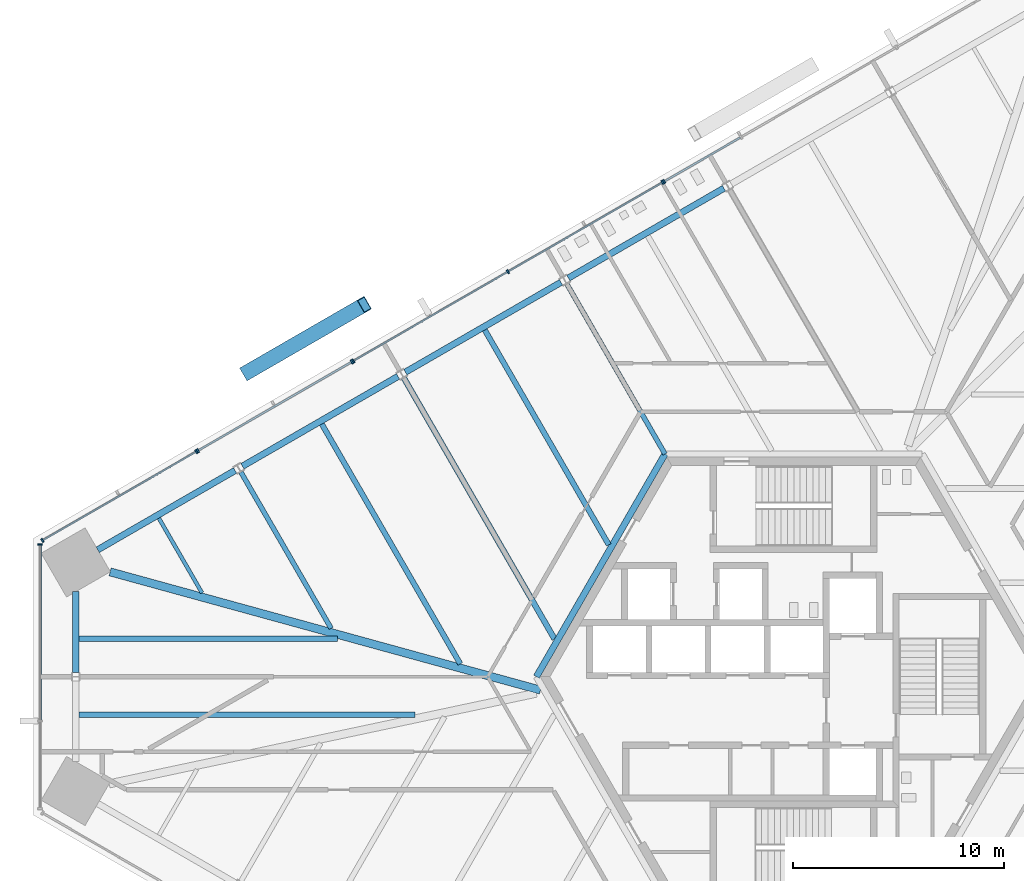
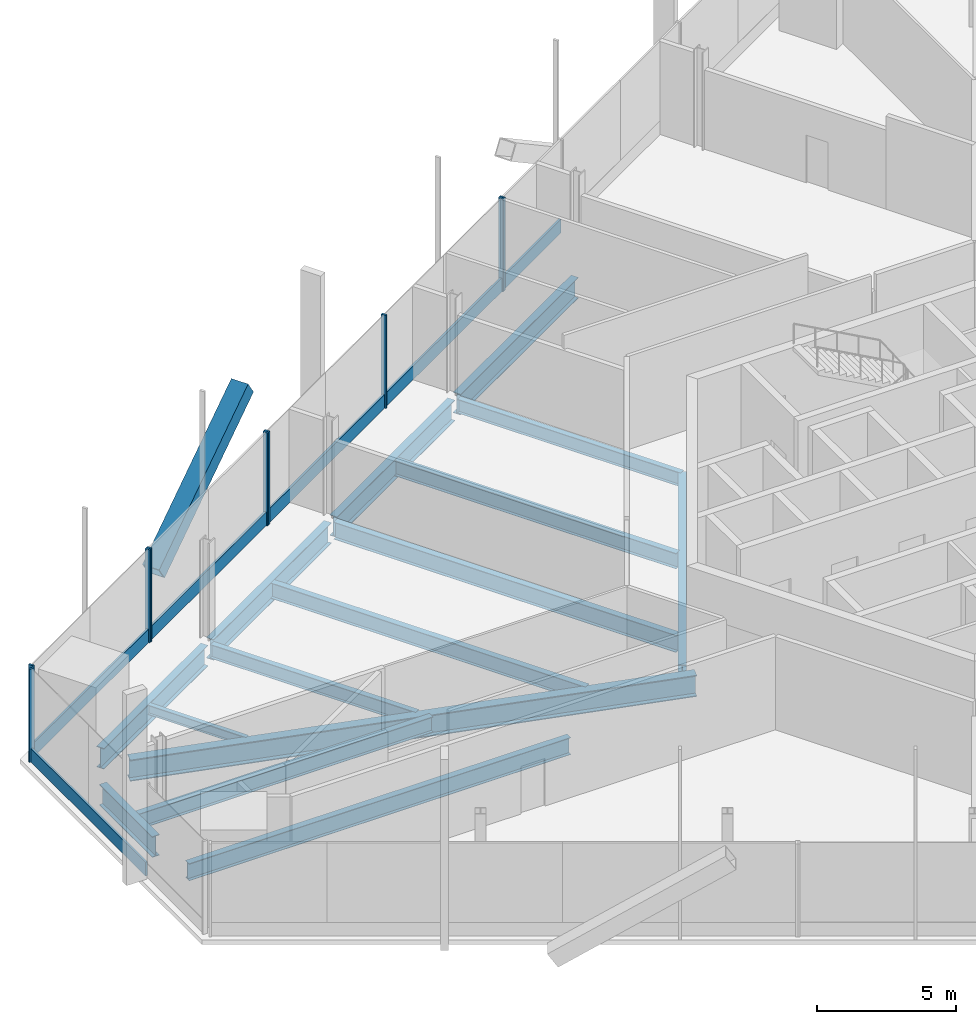
# One storey, part 6 of 19: 16 members, 15 beams, 5 elements without a shape of their own.
"""IFC4 building model written with IfcOpenShell, lengths in metres."""

from ifc_helpers import new_model, si_unit, direction, frame, origin, origin_2d, place, context, subcontext, project, spatial, rectangle, hollow_rectangle, i_section, extrude, source, transform, mapped, material, material_profile, profile_set, type_object, element, aggregate, save


model = new_model("IFC4")

# Units and contexts
model_context = context("Model", 3, precision=1e-05, world=origin(), true_north=direction((0.0, 1.0)))
body_context = subcontext(model_context, "Body", "Model", "MODEL_VIEW")
ifc_project = project(units=[si_unit("LENGTHUNIT", "METRE"), si_unit("AREAUNIT", "SQUARE_METRE"), si_unit("VOLUMEUNIT", "CUBIC_METRE"), si_unit("PLANEANGLEUNIT", "RADIAN"), si_unit("MASSUNIT", "GRAM", prefix="KILO")], contexts=[model_context])

# Site, building, storey
site_placement = place(None, origin())
site = spatial("IfcSite", under=ifc_project, at=site_placement, CompositionType="ELEMENT")
building_placement = place(site_placement, origin())
building = spatial("IfcBuilding", under=site, at=building_placement, Name="Triune Harvest Tower", CompositionType="ELEMENT")
storey_placement = place(building_placement, frame((0.0, 0.0, 24.60009765625)))
storey = spatial("IfcBuildingStorey", under=building, at=storey_placement, Name="L05", CompositionType="ELEMENT", Elevation=24.60009765625)

# Beams
ifc_material_1 = material(Name="Steel ASTM A992 Gr 50", Category="steel")
ifc_material_profile_1 = material_profile(ifc_material_1, i_section(OverallWidth=0.3046875, OverallDepth=0.914306640625, WebThickness=0.0166015625, FlangeThickness=0.02587890625, at=origin_2d()), Name="W36x160")
ifc_profile_set_1 = profile_set([ifc_material_profile_1], Name="Steel ASTM A992 Gr 50")
beam_type_1 = type_object("IfcBeamType", Name="CG-1 Core ring girder W36x160", PredefinedType="BEAM", material=ifc_profile_set_1)
shared_shape_1 = source(origin(), body_context, "Body", "SweptSolid", [
    extrude(i_section(OverallWidth=0.3046875, OverallDepth=0.914306640625, WebThickness=0.0166015625, FlangeThickness=0.02587890625, at=origin_2d()), origin(), (0.0, 0.0, 1.0), 12.176025390625),
])
beam_1_placement = place(storey_placement, frame((-6.087890625, 10.544677734375, -0.6572265625), z_axis=(-0.5000099932, -0.866019634131, 0.0), x_axis=(0.866019634131, -0.5000099932, 0.0)))
element("IfcBeam", 1, at=beam_1_placement, inside=storey, type_object=beam_type_1, Name="beam/L05/CG3", PredefinedType="BEAM", context=body_context, shape_type="MappedRepresentation", body=[
    mapped(shared_shape_1, transform((0.0, 0.0, 0.0), scale=1.0)),
])
ifc_material_2 = material(Name="Steel ASTM A992 Gr 50", Category="steel")
ifc_material_profile_2 = material_profile(ifc_material_2, i_section(OverallWidth=0.383544921875, OverallDepth=0.9423828125, WebThickness=0.022216796875, FlangeThickness=0.039794921875, at=origin_2d()), Name="W36x232")
ifc_profile_set_2 = profile_set([ifc_material_profile_2], Name="Steel ASTM A992 Gr 50")
beam_type_2 = type_object("IfcBeamType", Name="HG-1 Hip girder W36x232", PredefinedType="BEAM", material=ifc_profile_set_2)
shared_shape_2 = source(origin(), body_context, "Body", "SweptSolid", [
    extrude(i_section(OverallWidth=0.383544921875, OverallDepth=0.9423828125, WebThickness=0.022216796875, FlangeThickness=0.039794921875, at=origin_2d()), origin(), (0.0, 0.0, 1.0), 21.13232421875),
])
beam_2_placement = place(storey_placement, frame((-32.3623046875, 4.963134765625, -0.67138671875), z_axis=(0.964269976316, -0.264921521918, 0.0), x_axis=(0.264921521918, 0.964269976316, 0.0)))
element("IfcBeam", 2, at=beam_2_placement, inside=storey, type_object=beam_type_2, Name="beam/L05/HG4", PredefinedType="BEAM", context=body_context, shape_type="MappedRepresentation", body=[
    mapped(shared_shape_2, transform((0.0, 0.0, 0.0), scale=1.0)),
])
ifc_material_3 = material(Name="Steel ASTM A992 Gr 50", Category="steel")
ifc_material_profile_3 = material_profile(ifc_material_3, i_section(OverallWidth=0.2666015625, OverallDepth=0.7568359375, WebThickness=0.013916015625, FlangeThickness=0.019287109375, at=origin_2d()), Name="W30x108")
ifc_profile_set_3 = profile_set([ifc_material_profile_3], Name="Steel ASTM A992 Gr 50")
beam_type_3 = type_object("IfcBeamType", Name="JT-5 Floor joist W30x108", PredefinedType="JOIST", material=ifc_profile_set_3)
shared_shape_3 = source(origin(), body_context, "Body", "SweptSolid", [
    extrude(i_section(OverallWidth=0.2666015625, OverallDepth=0.7568359375, WebThickness=0.013916015625, FlangeThickness=0.019287109375, at=origin_2d()), origin(), (0.0, 0.0, 1.0), 14.2685546875),
])
beam_3_placement = place(storey_placement, frame((-18.454345703125, 14.14404296875, -0.57861328125), z_axis=(0.499987083308, -0.866032861112, 0.0), x_axis=(0.866032861112, 0.499987083308, 0.0)))
element("IfcBeam", 3, at=beam_3_placement, inside=storey, type_object=beam_type_3, Name="beam/L05/JT21", PredefinedType="JOIST", context=body_context, shape_type="MappedRepresentation", body=[
    mapped(shared_shape_3, transform((0.0, 0.0, 0.0), scale=1.0)),
])
ifc_material_4 = material(Name="Steel ASTM A992 Gr 50", Category="steel")
ifc_material_profile_4 = material_profile(ifc_material_4, i_section(OverallWidth=0.22900390625, OverallDepth=0.612060546875, WebThickness=0.011962890625, FlangeThickness=0.01953125, at=origin_2d()), Name="W24x84")
ifc_profile_set_4 = profile_set([ifc_material_profile_4], Name="Steel ASTM A992 Gr 50")
beam_type_4 = type_object("IfcBeamType", Name="JT-3 Floor joist W24x84", PredefinedType="JOIST", material=ifc_profile_set_4)
shared_shape_4 = source(origin(), body_context, "Body", "SweptSolid", [
    extrude(i_section(OverallWidth=0.22900390625, OverallDepth=0.612060546875, WebThickness=0.011962890625, FlangeThickness=0.01953125, at=origin_2d()), origin(), (0.0, 0.0, 1.0), 8.54736328125),
])
beam_4_placement = place(storey_placement, frame((-26.170654296875, 9.68896484375, -0.506103515625), z_axis=(0.500006795031, -0.866021480636, 0.0), x_axis=(0.866021480636, 0.500006795031, 0.0)))
element("IfcBeam", 4, at=beam_4_placement, inside=storey, type_object=beam_type_4, Name="beam/L05/JT23", PredefinedType="JOIST", context=body_context, shape_type="MappedRepresentation", body=[
    mapped(shared_shape_4, transform((0.0, 0.0, 0.0), scale=1.0)),
])
shared_shape_5 = source(origin(), body_context, "Body", "SweptSolid", [
    extrude(i_section(OverallWidth=0.22900390625, OverallDepth=0.612060546875, WebThickness=0.011962890625, FlangeThickness=0.01953125, at=origin_2d()), origin(), (0.0, 0.0, 1.0), 9.300537109375),
])
beam_5_placement = place(storey_placement, frame((-10.738037109375, 18.59912109375, -0.506103515625), z_axis=(0.49999285859, -0.86602952684, 0.0), x_axis=(0.86602952684, 0.49999285859, 0.0)))
element("IfcBeam", 5, at=beam_5_placement, inside=storey, type_object=beam_type_4, Name="beam/L05/JT19", PredefinedType="JOIST", context=body_context, shape_type="MappedRepresentation", body=[
    mapped(shared_shape_5, transform((0.0, 0.0, 0.0), scale=1.0)),
])
ifc_material_5 = material(Name="Steel ASTM A992 Gr 50", Category="steel")
ifc_material_profile_5 = material_profile(ifc_material_5, i_section(OverallWidth=0.3046875, OverallDepth=0.914306640625, WebThickness=0.0166015625, FlangeThickness=0.02587890625, at=origin_2d()), Name="W36x160")
ifc_profile_set_5 = profile_set([ifc_material_profile_5], Name="Steel ASTM A992 Gr 50")
beam_type_5 = type_object("IfcBeamType", Name="SB-1 Spandrel beam W36x160", PredefinedType="SPANDREL", material=ifc_profile_set_5)
shared_shape_6 = source(origin(), body_context, "Body", "SweptSolid", [
    extrude(i_section(OverallWidth=0.3046875, OverallDepth=0.914306640625, WebThickness=0.0166015625, FlangeThickness=0.02587890625, at=origin_2d()), origin(), (0.0, 0.0, 1.0), 7.508056640625),
])
beam_6_placement = place(storey_placement, frame((-26.447265625, 9.763916015625, -0.6572265625), z_axis=(-0.866033425553, -0.499986105632, 0.0), x_axis=(0.499986105632, -0.866033425553, 0.0)))
element("IfcBeam", 6, at=beam_6_placement, inside=storey, type_object=beam_type_5, Name="beam/L05/SB14", PredefinedType="SPANDREL", context=body_context, shape_type="MappedRepresentation", body=[
    mapped(shared_shape_6, transform((0.0, 0.0, 0.0), scale=1.0)),
])
shared_shape_7 = source(origin(), body_context, "Body", "SweptSolid", [
    extrude(i_section(OverallWidth=0.3046875, OverallDepth=0.914306640625, WebThickness=0.0166015625, FlangeThickness=0.02587890625, at=origin_2d()), origin(), (0.0, 0.0, 1.0), 8.506103515625),
])
for number, where, z_axis, x_axis, name in (
    (7, (-3.29833984375, 23.12890625, -0.6572265625), (-0.866030246746, -0.49999161165, 0.0), (0.49999161165, -0.866030246746, 0.0), "beam/L05/SB11"),
    (8, (-11.0146484375, 18.674072265625, -0.6572265625), (-0.866017818397, -0.500013138047, 0.0), (0.500013138047, -0.866017818397, 0.0), "beam/L05/SB12"),
    (9, (-18.73095703125, 14.218994140625, -0.6572265625), (-0.866030246746, -0.49999161165, 0.0), (0.49999161165, -0.866030246746, 0.0), "beam/L05/SB13"),
):
    element("IfcBeam", number, at=place(storey_placement, frame(where, z_axis=z_axis, x_axis=x_axis)), inside=storey, type_object=beam_type_5, Name=name, PredefinedType="SPANDREL", context=body_context, shape_type="MappedRepresentation", body=[
        mapped(shared_shape_7, transform((0.0, 0.0, 0.0), scale=1.0)),
    ])
shared_shape_8 = source(origin(), body_context, "Body", "SweptSolid", [
    extrude(i_section(OverallWidth=0.3046875, OverallDepth=0.914306640625, WebThickness=0.0166015625, FlangeThickness=0.02587890625, at=origin_2d()), origin(), (0.0, 0.0, 1.0), 3.822509765625),
])
beam_7_placement = place(storey_placement, frame((-33.988525390625, 4.0244140625, -0.6572265625), z_axis=(0.0, -1.0, 0.0), x_axis=(1.0, 0.0, 0.0)))
element("IfcBeam", 10, at=beam_7_placement, inside=storey, type_object=beam_type_5, Name="beam/L05/SB15", PredefinedType="SPANDREL", context=body_context, shape_type="MappedRepresentation", body=[
    mapped(shared_shape_8, transform((0.0, 0.0, 0.0), scale=1.0)),
])
ifc_material_6 = material(Name="Steel ASTM A992 Gr 50", Category="steel")
ifc_material_profile_6 = material_profile(ifc_material_6, i_section(OverallWidth=0.180908203125, OverallDepth=0.41650390625, WebThickness=0.010986328125, FlangeThickness=0.01806640625, at=origin_2d()), Name="W16x57")
ifc_profile_set_6 = profile_set([ifc_material_profile_6], Name="Steel ASTM A992 Gr 50")
beam_type_6 = type_object("IfcBeamType", Name="JT-1 Floor joist W16x57", PredefinedType="JOIST", material=ifc_profile_set_6)
shared_shape_9 = source(origin(), body_context, "Body", "SweptSolid", [
    extrude(i_section(OverallWidth=0.180908203125, OverallDepth=0.41650390625, WebThickness=0.010986328125, FlangeThickness=0.01806640625, at=origin_2d()), origin(), (0.0, 0.0, 1.0), 4.08642578125),
])
beam_8_placement = place(storey_placement, frame((-30.05419921875, 7.505615234375, -0.408447265625), z_axis=(0.49998792433, -0.866032375563, 0.0), x_axis=(0.866032375563, 0.49998792433, 0.0)))
element("IfcBeam", 11, at=beam_8_placement, inside=storey, type_object=beam_type_6, Name="beam/L05/JT24", PredefinedType="JOIST", context=body_context, shape_type="MappedRepresentation", body=[
    mapped(shared_shape_9, transform((0.0, 0.0, 0.0), scale=1.0)),
])
ifc_material_7 = material(Name="Steel ASTM A992 Gr 50", Category="steel")
ifc_material_profile_7 = material_profile(ifc_material_7, i_section(OverallWidth=0.253662109375, OverallDepth=0.683349609375, WebThickness=0.012451171875, FlangeThickness=0.01904296875, at=origin_2d()), Name="W27x94")
ifc_profile_set_7 = profile_set([ifc_material_profile_7], Name="Steel ASTM A992 Gr 50")
beam_type_7 = type_object("IfcBeamType", Name="JT-4 Floor joist W27x94", PredefinedType="JOIST", material=ifc_profile_set_7)
shared_shape_10 = source(origin(), body_context, "Body", "SweptSolid", [
    extrude(i_section(OverallWidth=0.253662109375, OverallDepth=0.683349609375, WebThickness=0.012451171875, FlangeThickness=0.01904296875, at=origin_2d()), origin(), (0.0, 0.0, 1.0), 12.2509765625),
])
beam_9_placement = place(storey_placement, frame((-33.836181640625, 1.80322265625, -0.541748046875), z_axis=(1.0, 0.0, 0.0), x_axis=(0.0, 1.0, 0.0)))
element("IfcBeam", 12, at=beam_9_placement, inside=storey, type_object=beam_type_7, Name="beam/L05/JT25", PredefinedType="JOIST", context=body_context, shape_type="MappedRepresentation", body=[
    mapped(shared_shape_10, transform((0.0, 0.0, 0.0), scale=1.0)),
])
shared_shape_11 = source(origin(), body_context, "Body", "SweptSolid", [
    extrude(i_section(OverallWidth=0.2666015625, OverallDepth=0.7568359375, WebThickness=0.013916015625, FlangeThickness=0.019287109375, at=origin_2d()), origin(), (0.0, 0.0, 1.0), 15.90771484375),
])
beam_10_placement = place(storey_placement, frame((-33.836181640625, -1.80322265625, -0.57861328125), z_axis=(1.0, 0.0, 0.0), x_axis=(0.0, 1.0, 0.0)))
element("IfcBeam", 13, at=beam_10_placement, inside=storey, type_object=beam_type_3, Name="beam/L05/JT26", PredefinedType="JOIST", context=body_context, shape_type="MappedRepresentation", body=[
    mapped(shared_shape_11, transform((0.0, 0.0, 0.0), scale=1.0)),
])
shared_shape_12 = source(origin(), body_context, "Body", "SweptSolid", [
    extrude(i_section(OverallWidth=0.253662109375, OverallDepth=0.683349609375, WebThickness=0.012451171875, FlangeThickness=0.01904296875, at=origin_2d()), origin(), (0.0, 0.0, 1.0), 11.7470703125),
])
beam_11_placement = place(storey_placement, frame((-14.62158203125, 16.41552734375, -0.541748046875), z_axis=(0.49999710518, -0.866027075103, 0.0), x_axis=(0.866027075103, 0.49999710518, 0.0)))
element("IfcBeam", 14, at=beam_11_placement, inside=storey, type_object=beam_type_7, Name="beam/L05/JT20", PredefinedType="JOIST", context=body_context, shape_type="MappedRepresentation", body=[
    mapped(shared_shape_12, transform((0.0, 0.0, 0.0), scale=1.0)),
])
shared_shape_13 = source(origin(), body_context, "Body", "SweptSolid", [
    extrude(i_section(OverallWidth=0.253662109375, OverallDepth=0.683349609375, WebThickness=0.012451171875, FlangeThickness=0.01904296875, at=origin_2d()), origin(), (0.0, 0.0, 1.0), 13.10986328125),
])
beam_12_placement = place(storey_placement, frame((-22.337890625, 11.96044921875, -0.541748046875), z_axis=(0.499998646344, -0.866026185317, 0.0), x_axis=(0.866026185317, 0.499998646344, 0.0)))
element("IfcBeam", 15, at=beam_12_placement, inside=storey, type_object=beam_type_7, Name="beam/L05/JT22", PredefinedType="JOIST", context=body_context, shape_type="MappedRepresentation", body=[
    mapped(shared_shape_13, transform((0.0, 0.0, 0.0), scale=1.0)),
])

# Member
ifc_material_8 = material(Name="Steel ASTM A572 Gr 50", Category="steel")
ifc_material_profile_8 = material_profile(ifc_material_8, hollow_rectangle(XDim=0.699951171875, YDim=0.699951171875, WallThickness=0.0400390625, at=origin_2d()), Name="Box 700x700x40")
ifc_profile_set_8 = profile_set([ifc_material_profile_8], Name="Steel ASTM A572 Gr 50")
member_type_1 = type_object("IfcMemberType", Name="BR-1 Brace Box 700x700x40", PredefinedType="BRACE", material=ifc_profile_set_8)
shared_shape_14 = source(origin(), body_context, "Body", "SweptSolid", [
    extrude(hollow_rectangle(XDim=0.699951171875, YDim=0.699951171875, WallThickness=0.0400390625, at=origin_2d()), origin(), (0.0, 0.0, 1.0), 7.728515625),
])
member_1_placement = place(storey_placement, frame((-25.8876953125, 14.40771484375, 0.0), z_axis=(0.719607219692, 0.415495775268, 0.556353044479), x_axis=(-0.500027396176, 0.866009586017, 0.0)))
element("IfcMember", 16, at=member_1_placement, inside=storey, type_object=member_type_1, Name="brace/B1-F3/d2/3", PredefinedType="BRACE", context=body_context, shape_type="MappedRepresentation", body=[
    mapped(shared_shape_14, transform((0.0, 0.0, 0.0), scale=1.0)),
])

# Curtain wall, member
ifc_material_9 = material(Name="Aluminium bronze anodised", Category="aluminium")
curtain_wall_type_1 = type_object("IfcCurtainWallType", Name="CW-3 Farm floor curtain wall", PredefinedType="NOTDEFINED", material=ifc_material_9)
curtain_wall_1_placement = place(storey_placement, origin())
curtain_wall_1 = element("IfcCurtainWall", 17, at=curtain_wall_1_placement, inside=storey, type_object=curtain_wall_type_1, Name="CW-3 B1-F4 L05 run 1")
ifc_material_10 = material(Name="Aluminium bronze anodised", Category="aluminium")
ifc_material_profile_9 = material_profile(ifc_material_10, rectangle(XDim=0.090087890625, YDim=0.60009765625, at=origin_2d()), Name="TR-3 transom 90 x 600")
ifc_profile_set_9 = profile_set([ifc_material_profile_9], Name="Aluminium bronze anodised")
member_type_2 = type_object("IfcMemberType", Name="TR-3 transom 90 x 600", PredefinedType="USERDEFINED", material=ifc_profile_set_9)
shared_shape_15 = source(origin(), body_context, "Body", "SweptSolid", [
    extrude(rectangle(XDim=0.090087890625, YDim=0.60009765625, at=origin_2d()), origin(), (0.0, 0.0, 1.0), 8.275634765625),
])
member_2_placement = place(storey_placement, frame((-35.680419921875, 6.216796875, 0.2998046875), z_axis=(0.0, -1.0, 0.0), x_axis=(1.0, 0.0, 0.0)))
member_2 = element("IfcMember", 18, at=member_2_placement, type_object=member_type_2, Name="CW-3 transom B1-F4 1.1", ObjectType="TRANSOM", PredefinedType="USERDEFINED", context=body_context, shape_type="MappedRepresentation", body=[
    mapped(shared_shape_15, transform((0.0, 0.0, 0.0), scale=1.0)),
])

ifc_material_11 = material(Name="Aluminium bronze anodised", Category="aluminium")
curtain_wall_type_2 = type_object("IfcCurtainWallType", Name="CW-8 Farm floor curtain wall with insulated spandrel infill", PredefinedType="NOTDEFINED", material=ifc_material_11)
curtain_wall_2_placement = place(storey_placement, origin())
curtain_wall_2 = element("IfcCurtainWall", 19, at=curtain_wall_2_placement, inside=storey, type_object=curtain_wall_type_2, Name="CW-8 B1-F3 L05 run 1")
ifc_material_12 = material(Name="Aluminium bronze anodised", Category="aluminium")
ifc_material_profile_10 = material_profile(ifc_material_12, rectangle(XDim=0.199951171875, YDim=0.080078125, at=origin_2d()), Name="MU-3 mullion 80 x 200")
ifc_profile_set_10 = profile_set([ifc_material_profile_10], Name="Aluminium bronze anodised")
member_type_3 = type_object("IfcMemberType", Name="MU-3 mullion 80 x 200", PredefinedType="MULLION", material=ifc_profile_set_10)
shared_shape_16 = source(origin(), body_context, "Body", "SweptSolid", [
    extrude(rectangle(XDim=0.199951171875, YDim=0.080078125, at=origin_2d()), origin(), (0.0, 0.0, 1.0), 4.099853515625),
])
member_3_placement = place(storey_placement, frame((-6.1318359375, 23.44677734375, 0.0), z_axis=(0.0, 0.0, 1.0), x_axis=(0.499998768415, -0.866026114839, 0.0)))
member_3 = element("IfcMember", 20, at=member_3_placement, type_object=member_type_3, Name="CW-8 mullion B1-F3 1.6", PredefinedType="MULLION", context=body_context, shape_type="MappedRepresentation", body=[
    mapped(shared_shape_16, transform((0.0, 0.0, 0.0), scale=1.0)),
])

# Curtain wall, members
curtain_wall_3_placement = place(storey_placement, origin())
curtain_wall_3 = element("IfcCurtainWall", 21, at=curtain_wall_3_placement, inside=storey, type_object=curtain_wall_type_1, Name="CW-3 B1-F3 L05 run 1001")
member_4_placement = place(storey_placement, frame((-6.200927734375, 23.40673828125, 0.0), z_axis=(0.0, 0.0, 1.0), x_axis=(0.500000044272, -0.866025378224, 0.0)))
member_4 = element("IfcMember", 22, at=member_4_placement, type_object=member_type_3, Name="CW-3 mullion B1-F3 1001.1", PredefinedType="MULLION", context=body_context, shape_type="MappedRepresentation", body=[
    mapped(shared_shape_16, transform((0.0, 0.0, 0.0), scale=1.0)),
])
member_5_placement = place(storey_placement, frame((-13.525390625, 19.177978515625, 0.0), z_axis=(0.0, 0.0, 1.0), x_axis=(0.500000044272, -0.866025378224, 0.0)))
member_5 = element("IfcMember", 23, at=member_5_placement, type_object=member_type_3, Name="CW-3 mullion B1-F3 1001.3", PredefinedType="MULLION", context=body_context, shape_type="MappedRepresentation", body=[
    mapped(shared_shape_16, transform((0.0, 0.0, 0.0), scale=1.0)),
])
member_6_placement = place(storey_placement, frame((-20.849853515625, 14.94921875, 0.0), z_axis=(0.0, 0.0, 1.0), x_axis=(0.500000044272, -0.866025378224, 0.0)))
member_6 = element("IfcMember", 24, at=member_6_placement, type_object=member_type_3, Name="CW-3 mullion B1-F3 1001.5", PredefinedType="MULLION", context=body_context, shape_type="MappedRepresentation", body=[
    mapped(shared_shape_16, transform((0.0, 0.0, 0.0), scale=1.0)),
])

curtain_wall_4_placement = place(storey_placement, origin())
curtain_wall_4 = element("IfcCurtainWall", 25, at=curtain_wall_4_placement, inside=storey, type_object=curtain_wall_type_2, Name="CW-8 B1-F3 L05 run 2001")
member_7_placement = place(storey_placement, frame((-20.919189453125, 14.9091796875, 0.0), z_axis=(0.0, 0.0, 1.0), x_axis=(0.500007005209, -0.866021359287, 0.0)))
member_7 = element("IfcMember", 26, at=member_7_placement, type_object=member_type_3, Name="CW-8 mullion B1-F3 2001.1", PredefinedType="MULLION", context=body_context, shape_type="MappedRepresentation", body=[
    mapped(shared_shape_16, transform((0.0, 0.0, 0.0), scale=1.0)),
])
member_8_placement = place(storey_placement, frame((-28.208740234375, 10.700439453125, 0.0), z_axis=(0.0, 0.0, 1.0), x_axis=(0.500007005209, -0.866021359287, 0.0)))
member_8 = element("IfcMember", 27, at=member_8_placement, type_object=member_type_3, Name="CW-8 mullion B1-F3 2001.3", PredefinedType="MULLION", context=body_context, shape_type="MappedRepresentation", body=[
    mapped(shared_shape_16, transform((0.0, 0.0, 0.0), scale=1.0)),
])

curtain_wall_5_placement = place(storey_placement, origin())
curtain_wall_5 = element("IfcCurtainWall", 28, at=curtain_wall_5_placement, inside=storey, type_object=curtain_wall_type_1, Name="CW-3 B1-F3 L05 run 3001")
member_9_placement = place(storey_placement, frame((-28.278076171875, 10.660400390625, 0.0), z_axis=(0.0, 0.0, 1.0), x_axis=(0.499995239328, -0.866028152342, 0.0)))
member_9 = element("IfcMember", 29, at=member_9_placement, type_object=member_type_3, Name="CW-3 mullion B1-F3 3001.1", PredefinedType="MULLION", context=body_context, shape_type="MappedRepresentation", body=[
    mapped(shared_shape_16, transform((0.0, 0.0, 0.0), scale=1.0)),
])
member_10_placement = place(storey_placement, frame((-35.56787109375, 6.451904296875, 0.0), z_axis=(0.0, 0.0, 1.0), x_axis=(0.499995239328, -0.866028152342, 0.0)))
member_10 = element("IfcMember", 30, at=member_10_placement, type_object=member_type_3, Name="CW-3 mullion B1-F3 3001.3", PredefinedType="MULLION", context=body_context, shape_type="MappedRepresentation", body=[
    mapped(shared_shape_16, transform((0.0, 0.0, 0.0), scale=1.0)),
])

# Member
member_11_placement = place(storey_placement, frame((-35.680419921875, 6.2568359375, 0.0), z_axis=(0.0, 0.0, 1.0), x_axis=(1.0, 0.0, 0.0)))
member_11 = element("IfcMember", 31, at=member_11_placement, type_object=member_type_3, Name="CW-3 mullion B1-F4 1.1", PredefinedType="MULLION", context=body_context, shape_type="MappedRepresentation", body=[
    mapped(shared_shape_16, transform((0.0, 0.0, 0.0), scale=1.0)),
])

aggregate(curtain_wall_1, [member_11, member_2])

shared_shape_17 = source(origin(), body_context, "Body", "SweptSolid", [
    extrude(rectangle(XDim=0.090087890625, YDim=0.60009765625, at=origin_2d()), origin(), (0.0, 0.0, 1.0), 8.37744140625),
])
member_12_placement = place(storey_placement, frame((-6.235595703125, 23.38671875, 0.2998046875), z_axis=(-0.866026892193, -0.499997421992, 0.0), x_axis=(0.499997421992, -0.866026892193, 0.0)))
member_12 = element("IfcMember", 32, at=member_12_placement, type_object=member_type_2, Name="CW-3 transom B1-F3 1001.1", ObjectType="TRANSOM", PredefinedType="USERDEFINED", context=body_context, shape_type="MappedRepresentation", body=[
    mapped(shared_shape_17, transform((0.0, 0.0, 0.0), scale=1.0)),
])

member_13_placement = place(storey_placement, frame((-13.56005859375, 19.157958984375, 0.2998046875), z_axis=(-0.866026892193, -0.499997421992, 0.0), x_axis=(0.499997421992, -0.866026892193, 0.0)))
member_13 = element("IfcMember", 33, at=member_13_placement, type_object=member_type_2, Name="CW-3 transom B1-F3 1001.2", ObjectType="TRANSOM", PredefinedType="USERDEFINED", context=body_context, shape_type="MappedRepresentation", body=[
    mapped(shared_shape_17, transform((0.0, 0.0, 0.0), scale=1.0)),
])

aggregate(curtain_wall_3, [member_4, member_5, member_6, member_12, member_13])

shared_shape_18 = source(origin(), body_context, "Body", "SweptSolid", [
    extrude(rectangle(XDim=0.090087890625, YDim=0.60009765625, at=origin_2d()), origin(), (0.0, 0.0, 1.0), 4.12890625),
])
member_14_placement = place(storey_placement, frame((-2.521484375, 25.53125, 0.2998046875), z_axis=(-0.866022127522, -0.500005674609, 0.0), x_axis=(0.500005674609, -0.866022127522, 0.0)))
member_14 = element("IfcMember", 34, at=member_14_placement, type_object=member_type_2, Name="CW-8 transom B1-F3 1.3", ObjectType="TRANSOM", PredefinedType="USERDEFINED", context=body_context, shape_type="MappedRepresentation", body=[
    mapped(shared_shape_18, transform((0.0, 0.0, 0.0), scale=1.0)),
])

aggregate(curtain_wall_2, [member_3, member_14])

shared_shape_19 = source(origin(), body_context, "Body", "SweptSolid", [
    extrude(rectangle(XDim=0.090087890625, YDim=0.60009765625, at=origin_2d()), origin(), (0.0, 0.0, 1.0), 8.337646484375),
])
member_15_placement = place(storey_placement, frame((-20.953857421875, 14.889404296875, 0.2998046875), z_axis=(-0.866014425836, -0.500019013882, 0.0), x_axis=(0.500019013882, -0.866014425836, 0.0)))
member_15 = element("IfcMember", 35, at=member_15_placement, type_object=member_type_2, Name="CW-8 transom B1-F3 2001.1", ObjectType="TRANSOM", PredefinedType="USERDEFINED", context=body_context, shape_type="MappedRepresentation", body=[
    mapped(shared_shape_19, transform((0.0, 0.0, 0.0), scale=1.0)),
])

aggregate(curtain_wall_4, [member_7, member_8, member_15])

shared_shape_20 = source(origin(), body_context, "Body", "SweptSolid", [
    extrude(rectangle(XDim=0.090087890625, YDim=0.60009765625, at=origin_2d()), origin(), (0.0, 0.0, 1.0), 8.33740234375),
])
member_16_placement = place(storey_placement, frame((-28.312744140625, 10.640380859375, 0.2998046875), z_axis=(-0.866027105532, -0.499997052475, 0.0), x_axis=(0.499997052475, -0.866027105532, 0.0)))
member_16 = element("IfcMember", 36, at=member_16_placement, type_object=member_type_2, Name="CW-3 transom B1-F3 3001.1", ObjectType="TRANSOM", PredefinedType="USERDEFINED", context=body_context, shape_type="MappedRepresentation", body=[
    mapped(shared_shape_20, transform((0.0, 0.0, 0.0), scale=1.0)),
])

aggregate(curtain_wall_5, [member_9, member_10, member_16])

save(model, "model.ifc")
